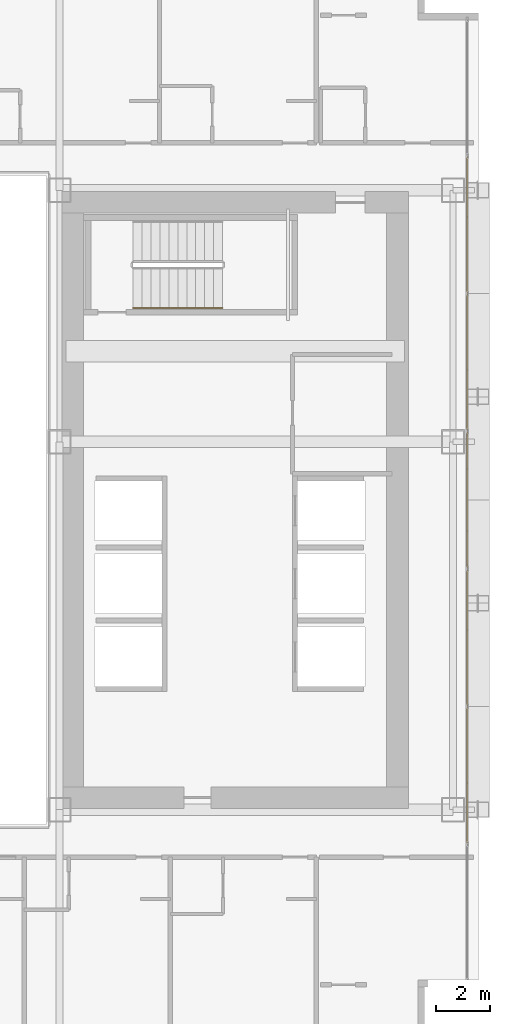
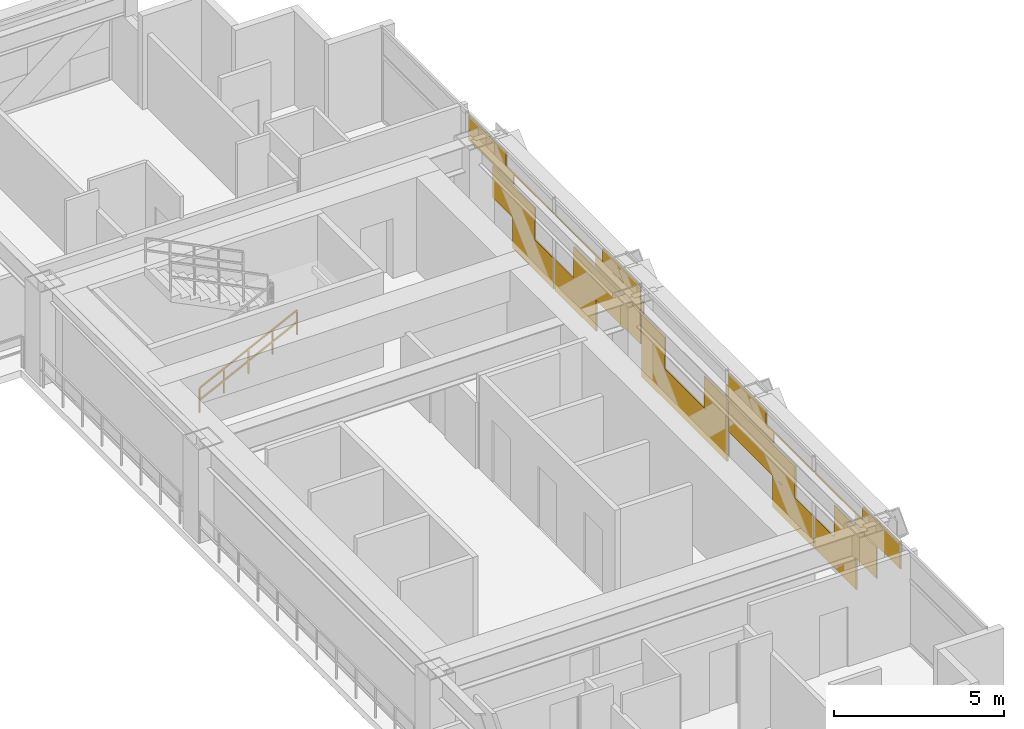
# One storey, part 37 of 38: 1 covering, 1 railing.
"""IFC4 building model written with IfcOpenShell, lengths in metres."""

import ifcopenshell
import ifcopenshell.guid

model = None  # the IFC model being written
_history = None  # IfcOwnerHistory: only IFC2X3 demands one
_inside = {}  # id of a spatial element -> (the spatial element, [elements in it])
_under = {}  # id of a project, library or spatial element -> (it, [spatial elements below it])
_declared = {}  # id of a project -> (the project, [libraries it declares])
_typed = {}  # id of a type object -> (the type object, [elements of that type])
_made_of = {}  # id of a material, layer set ... -> (it, [elements and type objects made of it])


def new_model(schema):
    """Start an empty IFC model of exactly this schema.

    Asked for "IFC4X3", IfcOpenShell would pick the latest addendum, in which some entities
    have other attributes; the version numbers below select the first issue.
    IFC2X3 requires an IfcOwnerHistory on every rooted entity: one is made here for all.
    """
    global model, _history
    if schema == "IFC4X3":
        model = ifcopenshell.file(schema_version=(4, 3, 0, 0))
    else:
        model = ifcopenshell.file(schema=schema)
    _inside.clear()
    _under.clear()
    _declared.clear()
    _typed.clear()
    _made_of.clear()
    _history = None
    if model.schema == "IFC2X3":
        org = make("IfcOrganization", Name="unknown")
        user = make(
            "IfcPersonAndOrganization",
            ThePerson=make("IfcPerson", FamilyName="unknown"),
            TheOrganization=org,
        )
        app = make(
            "IfcApplication",
            ApplicationDeveloper=org,
            Version="unknown",
            ApplicationFullName="unknown",
            ApplicationIdentifier="unknown",
        )
        _history = make(
            "IfcOwnerHistory",
            OwningUser=user,
            OwningApplication=app,
            ChangeAction="ADDED",
            CreationDate=0,
        )
    return model


def make(cls, **values):
    """One entity of the class cls with the attributes given. An attribute that is None is left unset."""
    return model.create_entity(
        cls, **{name: value for name, value in values.items() if value is not None}
    )


def rooted(cls, **values):
    """An entity with a GlobalId (a new one), such as an element, a storey or a relation."""
    return make(cls, GlobalId=ifcopenshell.guid.new(), OwnerHistory=_history, **values)


def si_unit(unit_type, name, prefix=None):
    """IfcSIUnit, for example si_unit("LENGTHUNIT", "METRE", prefix="MILLI")."""
    return make("IfcSIUnit", UnitType=unit_type, Prefix=prefix, Name=name)


def assignment(units):
    """IfcUnitAssignment: the units of a project."""
    return None if units is None else make("IfcUnitAssignment", Units=units)


def point(xyz):
    """IfcCartesianPoint."""
    return None if xyz is None else make("IfcCartesianPoint", Coordinates=xyz)


def direction(xyz):
    """IfcDirection."""
    return None if xyz is None else make("IfcDirection", DirectionRatios=xyz)


def frame(location, z_axis=None, x_axis=None):
    """IfcAxis2Placement3D, a coordinate frame: its origin and axes. An axis left out is left unset."""
    return make(
        "IfcAxis2Placement3D",
        Location=point(location),
        Axis=direction(z_axis),
        RefDirection=direction(x_axis),
    )


def frame_2d(location, x_axis=None):
    """IfcAxis2Placement2D, a coordinate frame in the plane: its origin and x axis."""
    return make(
        "IfcAxis2Placement2D", Location=point(location), RefDirection=direction(x_axis)
    )


def origin():
    """The frame at (0, 0, 0) with its axes left unset."""
    return frame((0.0, 0.0, 0.0))


def origin_2d():
    """The frame at (0, 0) in the plane with its x axis left unset."""
    return frame_2d((0.0, 0.0))


def place(relative_to, where):
    """IfcLocalPlacement: puts the frame where relative to a parent placement (None: the world)."""
    return make(
        "IfcLocalPlacement", PlacementRelTo=relative_to, RelativePlacement=where
    )


def context(
    kind, dimensions, precision=None, world=None, true_north=None, identifier=None
):
    """IfcGeometricRepresentationContext, for example the 3D "Model" context."""
    return make(
        "IfcGeometricRepresentationContext",
        ContextIdentifier=identifier,
        ContextType=kind,
        CoordinateSpaceDimension=dimensions,
        Precision=precision,
        WorldCoordinateSystem=world,
        TrueNorth=true_north,
    )


def subcontext(parent, identifier, kind, view, scale=None):
    """IfcGeometricRepresentationSubContext, for example "Body" below "Model"."""
    return make(
        "IfcGeometricRepresentationSubContext",
        ContextIdentifier=identifier,
        ContextType=kind,
        ParentContext=parent,
        TargetScale=scale,
        TargetView=view,
    )


def project(units=None, contexts=None):
    """IfcProject with its units and contexts."""
    return rooted(
        "IfcProject",
        Name="project",
        RepresentationContexts=contexts,
        UnitsInContext=assignment(units),
    )


def spatial(cls, under=None, at=None, **own):
    """A site, building, storey or space (cls), placed at a placement, below another one or the project."""
    s = rooted(cls, ObjectPlacement=at, **own)
    if under is not None:
        _under.setdefault(under.id(), (under, []))[1].append(s)
    return s


def profile(cls, at=None, kind="AREA", **sizes):
    """A parametric profile (cls). Its sizes go by their IFC names, for example OverallWidth=200.0."""
    return make(cls, ProfileType=kind, Position=at, **sizes)


def rectangle(**sizes):
    """IfcRectangleProfileDef."""
    return profile("IfcRectangleProfileDef", **sizes)


def extrude(swept, where, along, depth):
    """IfcExtrudedAreaSolid: the profile swept, set in the frame where, extruded along a direction by depth."""
    return make(
        "IfcExtrudedAreaSolid",
        SweptArea=swept,
        Position=where,
        ExtrudedDirection=direction(along),
        Depth=depth,
    )


def shape(context_of_items, identifier, shape_type, items):
    """IfcShapeRepresentation: the items that make up one representation, for example the "Body"."""
    return make(
        "IfcShapeRepresentation",
        ContextOfItems=context_of_items,
        RepresentationIdentifier=identifier,
        RepresentationType=shape_type,
        Items=items,
    )


def material(Name=None, Category=None):
    """IfcMaterial."""
    return make("IfcMaterial", Name=Name, Category=Category)


def layer(
    of_material, thickness, ventilated=None, Name=None, Category=None, Priority=None
):
    """IfcMaterialLayer: one layer of a wall or slab, of a material (None: an air gap)."""
    return make(
        "IfcMaterialLayer",
        Material=of_material,
        LayerThickness=thickness,
        IsVentilated=ventilated,
        Name=Name,
        Category=Category,
        Priority=Priority,
    )


def layer_set(layers, Name=None):
    """IfcMaterialLayerSet."""
    return make("IfcMaterialLayerSet", MaterialLayers=layers, LayerSetName=Name)


def made_of(thing, what):
    """Note that an element or type object is made of a material, layer set ...; save() writes the relation."""
    if what is not None:
        _made_of.setdefault(what.id(), (what, []))[1].append(thing)
    return thing


def type_object(cls, material=None, **own):
    """A type object (cls), such as IfcWallType, which elements share."""
    return made_of(rooted(cls, **own), material)


def element(
    cls,
    number,
    at=None,
    inside=None,
    cuts=None,
    type_object=None,
    material=None,
    context=None,
    identifier="Body",
    shape_type=None,
    held_by="IfcProductDefinitionShape",
    body=None,
    shapes=None,
    **own,
):
    """One element of the class cls, such as IfcWall. Its Tag is "e" and its number.

    at: its placement. inside: the storey or other place that contains it. cuts: it is an
    opening in that element (IfcRelVoidsElement). A single representation is given by context,
    identifier, shape_type and body (its items); several are given by shapes. held_by: the class
    of the entity that holds the representations. save() writes the other relations.
    """
    e = rooted(cls, Tag="e%d" % number, ObjectPlacement=at, **own)
    if body is not None:
        shapes = [shape(context, identifier, shape_type, body)]
    if shapes is not None:
        e.Representation = make(held_by, Representations=shapes)
    if inside is not None:
        _inside.setdefault(inside.id(), (inside, []))[1].append(e)
    if cuts is not None:
        rooted(
            "IfcRelVoidsElement", RelatingBuildingElement=cuts, RelatedOpeningElement=e
        )
    if type_object is not None:
        _typed.setdefault(type_object.id(), (type_object, []))[1].append(e)
    return made_of(e, material)


def aggregate(whole, parts):
    """IfcRelAggregates: a whole, such as a stair, and the parts it consists of."""
    return rooted("IfcRelAggregates", RelatingObject=whole, RelatedObjects=parts)


def save(model, path):
    """Write the relations noted so far, then the file.

    IfcRelAggregates (storeys below a building ...), IfcRelContainedInSpatialStructure (elements
    in a storey), IfcRelDefinesByType, IfcRelAssociatesMaterial and IfcRelDeclares: one each for
    every whole, place, type object, material and project.
    """
    for whole, parts in _under.values():
        aggregate(whole, parts)
    for where, things in _inside.values():
        rooted(
            "IfcRelContainedInSpatialStructure",
            RelatedElements=things,
            RelatingStructure=where,
        )
    for kind, things in _typed.values():
        rooted("IfcRelDefinesByType", RelatedObjects=things, RelatingType=kind)
    for what, things in _made_of.values():
        rooted("IfcRelAssociatesMaterial", RelatedObjects=things, RelatingMaterial=what)
    for by, libraries in _declared.values():
        rooted("IfcRelDeclares", RelatingContext=by, RelatedDefinitions=libraries)
    model.write(path)


model = new_model("IFC4")

# Units and contexts
model_context = context("Model", 3, precision=1e-05, world=origin(), true_north=direction((0.0, 1.0)))
body_context = subcontext(model_context, "Body", "Model", "MODEL_VIEW")
ifc_project = project(units=[si_unit("LENGTHUNIT", "METRE"), si_unit("AREAUNIT", "SQUARE_METRE"), si_unit("VOLUMEUNIT", "CUBIC_METRE"), si_unit("PLANEANGLEUNIT", "RADIAN"), si_unit("MASSUNIT", "GRAM", prefix="KILO")], contexts=[model_context])

# Site, building, storey
site_placement = place(None, origin())
site = spatial("IfcSite", under=ifc_project, at=site_placement, CompositionType="ELEMENT")
building_placement = place(site_placement, origin())
building = spatial("IfcBuilding", under=site, at=building_placement, Name="Ocotamira Hotel", CompositionType="ELEMENT")
storey_placement = place(building_placement, frame((0.0, 0.0, 60.0)))
storey = spatial("IfcBuildingStorey", under=building, at=storey_placement, Name="L14", CompositionType="ELEMENT", Elevation=60.0)

# Covering
ifc_material_1 = material(Name="Insulated pale-metal aluminium spandrel panel", Category="aluminium")
ifc_layer = layer(ifc_material_1, 0.044921875)
ifc_layer_set = layer_set([ifc_layer], Name="Insulated pale-metal aluminium spandrel panel")
covering_type = type_object("IfcCoveringType", Name="COV-INFILL-45", PredefinedType="CLADDING", material=ifc_layer_set)
covering_placement = place(storey_placement, origin())
element("IfcCovering", 1, at=covering_placement, inside=storey, type_object=covering_type, Name="L14 Curtain Wall Infill CW-2 CW-L14-E", PredefinedType="CLADDING", context=body_context, shape_type="SweptSolid", body=[
    extrude(rectangle(XDim=2.49658203125, YDim=0.044921875, at=origin_2d()), frame((55.580078125, 15.977783203125, 1.1943359375), z_axis=(0.0, 0.0, 1.0), x_axis=(0.0, 1.0, 0.0)), (0.0, 0.0, 1.0), 1.11767578125),
    extrude(rectangle(XDim=2.415283203125, YDim=0.044921875, at=origin_2d()), frame((55.580078125, 17.123291015625, 0.07568359375), z_axis=(0.0, 0.0, 1.0), x_axis=(0.0, 1.0, 0.0)), (0.0, 0.0, 1.0), 1.11767578125),
    extrude(rectangle(XDim=2.634521484375, YDim=0.044921875, at=origin_2d()), frame((55.580078125, 14.6435546875, 2.38818359375), z_axis=(0.0, 0.0, 1.0), x_axis=(0.0, 1.0, 0.0)), (0.0, 0.0, 1.0), 0.366943359375),
    extrude(rectangle(XDim=5.004638671875, YDim=0.044921875, at=origin_2d()), frame((55.580078125, 15.82861328125, 2.756103515625), z_axis=(0.0, 0.0, 1.0), x_axis=(0.0, 1.0, 0.0)), (0.0, 0.0, 1.0), 0.033203125),
    extrude(rectangle(XDim=2.2080078125, YDim=0.044921875, at=origin_2d()), frame((55.580078125, 14.43017578125, 2.79052734375), z_axis=(0.0, 0.0, 1.0), x_axis=(0.0, 1.0, 0.0)), (0.0, 0.0, 1.0), 0.484130859375),
    extrude(rectangle(XDim=2.40576171875, YDim=0.044921875, at=origin_2d()), frame((55.580078125, 19.61474609375, 0.07568359375), z_axis=(0.0, 0.0, 1.0), x_axis=(0.0, 1.0, 0.0)), (0.0, 0.0, 1.0), 1.11767578125),
    extrude(rectangle(XDim=3.90966796875, YDim=0.044921875, at=origin_2d()), frame((55.580078125, 21.4619140625, 1.1943359375), z_axis=(0.0, 0.0, 1.0), x_axis=(0.0, 1.0, 0.0)), (0.0, 0.0, 1.0), 1.11767578125),
    extrude(rectangle(XDim=5.004638671875, YDim=0.044921875, at=origin_2d()), frame((55.580078125, 20.914306640625, 2.756103515625), z_axis=(0.0, 0.0, 1.0), x_axis=(0.0, 1.0, 0.0)), (0.0, 0.0, 1.0), 0.033203125),
    extrude(rectangle(XDim=2.64404296875, YDim=0.044921875, at=origin_2d()), frame((55.580078125, 22.094482421875, 2.38818359375), z_axis=(0.0, 0.0, 1.0), x_axis=(0.0, 1.0, 0.0)), (0.0, 0.0, 1.0), 0.366943359375),
    extrude(rectangle(XDim=2.217529296875, YDim=0.044921875, at=origin_2d()), frame((55.580078125, 22.307861328125, 2.79052734375), z_axis=(0.0, 0.0, 1.0), x_axis=(0.0, 1.0, 0.0)), (0.0, 0.0, 1.0), 0.484130859375),
    extrude(rectangle(XDim=5.004638671875, YDim=0.044921875, at=origin_2d()), frame((55.580078125, 26.0, 0.07568359375), z_axis=(0.0, 0.0, 1.0), x_axis=(0.0, 1.0, 0.0)), (0.0, 0.0, 1.0), 1.11767578125),
    extrude(rectangle(XDim=1.362060546875, YDim=0.044921875, at=origin_2d()), frame((55.580078125, 24.1787109375, 1.1943359375), z_axis=(0.0, 0.0, 1.0), x_axis=(0.0, 1.0, 0.0)), (0.0, 0.0, 1.0), 1.11767578125),
    extrude(rectangle(XDim=1.362060546875, YDim=0.044921875, at=origin_2d()), frame((55.580078125, 27.8212890625, 1.1943359375), z_axis=(0.0, 0.0, 1.0), x_axis=(0.0, 1.0, 0.0)), (0.0, 0.0, 1.0), 1.11767578125),
    extrude(rectangle(XDim=0.096435546875, YDim=0.044921875, at=origin_2d()), frame((55.580078125, 23.5458984375, 2.387939453125), z_axis=(0.0, 0.0, 1.0), x_axis=(0.0, 1.0, 0.0)), (0.0, 0.0, 1.0), 0.4013671875),
    extrude(rectangle(XDim=0.096435546875, YDim=0.044921875, at=origin_2d()), frame((55.580078125, 28.4541015625, 2.387939453125), z_axis=(0.0, 0.0, 1.0), x_axis=(0.0, 1.0, 0.0)), (0.0, 0.0, 1.0), 0.4013671875),
    extrude(rectangle(XDim=3.90966796875, YDim=0.044921875, at=origin_2d()), frame((55.580078125, 30.5380859375, 1.1943359375), z_axis=(0.0, 0.0, 1.0), x_axis=(0.0, 1.0, 0.0)), (0.0, 0.0, 1.0), 1.11767578125),
    extrude(rectangle(XDim=2.40576171875, YDim=0.044921875, at=origin_2d()), frame((55.580078125, 32.38525390625, 0.07568359375), z_axis=(0.0, 0.0, 1.0), x_axis=(0.0, 1.0, 0.0)), (0.0, 0.0, 1.0), 1.11767578125),
    extrude(rectangle(XDim=2.64404296875, YDim=0.044921875, at=origin_2d()), frame((55.580078125, 29.905517578125, 2.38818359375), z_axis=(0.0, 0.0, 1.0), x_axis=(0.0, 1.0, 0.0)), (0.0, 0.0, 1.0), 0.366943359375),
    extrude(rectangle(XDim=5.004638671875, YDim=0.044921875, at=origin_2d()), frame((55.580078125, 31.085693359375, 2.756103515625), z_axis=(0.0, 0.0, 1.0), x_axis=(0.0, 1.0, 0.0)), (0.0, 0.0, 1.0), 0.033203125),
    extrude(rectangle(XDim=2.217529296875, YDim=0.044921875, at=origin_2d()), frame((55.580078125, 29.692138671875, 2.79052734375), z_axis=(0.0, 0.0, 1.0), x_axis=(0.0, 1.0, 0.0)), (0.0, 0.0, 1.0), 0.484130859375),
    extrude(rectangle(XDim=2.415283203125, YDim=0.044921875, at=origin_2d()), frame((55.580078125, 34.876708984375, 0.07568359375), z_axis=(0.0, 0.0, 1.0), x_axis=(0.0, 1.0, 0.0)), (0.0, 0.0, 1.0), 1.11767578125),
    extrude(rectangle(XDim=2.49658203125, YDim=0.044921875, at=origin_2d()), frame((55.580078125, 36.022216796875, 1.1943359375), z_axis=(0.0, 0.0, 1.0), x_axis=(0.0, 1.0, 0.0)), (0.0, 0.0, 1.0), 1.11767578125),
    extrude(rectangle(XDim=5.004638671875, YDim=0.044921875, at=origin_2d()), frame((55.580078125, 36.17138671875, 2.756103515625), z_axis=(0.0, 0.0, 1.0), x_axis=(0.0, 1.0, 0.0)), (0.0, 0.0, 1.0), 0.033203125),
    extrude(rectangle(XDim=2.634521484375, YDim=0.044921875, at=origin_2d()), frame((55.580078125, 37.3564453125, 2.38818359375), z_axis=(0.0, 0.0, 1.0), x_axis=(0.0, 1.0, 0.0)), (0.0, 0.0, 1.0), 0.366943359375),
    extrude(rectangle(XDim=2.2080078125, YDim=0.044921875, at=origin_2d()), frame((55.580078125, 37.56982421875, 2.79052734375), z_axis=(0.0, 0.0, 1.0), x_axis=(0.0, 1.0, 0.0)), (0.0, 0.0, 1.0), 0.484130859375),
])

# Railing
ifc_material_2 = material(Name="Brushed stainless steel handrail", Category="steel")
railing_type = type_object("IfcRailingType", Name="RL-HAND-900", PredefinedType="HANDRAIL", material=ifc_material_2)
railing_placement = place(storey_placement, frame((43.22998046875, 33.10009765625, 0.327392578125)))
element("IfcRailing", 2, at=railing_placement, inside=storey, type_object=railing_type, Name="L14 ST-4 stair handrail 1", PredefinedType="HANDRAIL", context=body_context, shape_type="SweptSolid", body=[
    extrude(rectangle(XDim=0.048095703125, YDim=0.048095703125, at=origin_2d()), frame((0.0, 0.0, 0.8759765625), z_axis=(0.895920123917, 0.0, 0.444215186098), x_axis=(0.0, 1.0, 0.0)), (0.0, 0.0, 1.0), 3.683349609375),
    extrude(rectangle(XDim=0.048095703125, YDim=0.048095703125, at=origin_2d()), frame((0.0, 0.0, 0.449951171875), z_axis=(0.895920123917, 0.0, 0.444215186098), x_axis=(0.0, 1.0, 0.0)), (0.0, 0.0, 1.0), 3.683349609375),
    extrude(rectangle(XDim=0.0419921875, YDim=0.0419921875, at=origin_2d()), origin(), (0.0, 0.0, 1.0), 0.851806640625),
    extrude(rectangle(XDim=0.0419921875, YDim=0.0419921875, at=origin_2d()), frame((0.824951171875, 0.0, 0.4091796875)), (0.0, 0.0, 1.0), 0.851806640625),
    extrude(rectangle(XDim=0.0419921875, YDim=0.0419921875, at=origin_2d()), frame((1.64990234375, 0.0, 0.818115234375)), (0.0, 0.0, 1.0), 0.851806640625),
    extrude(rectangle(XDim=0.0419921875, YDim=0.0419921875, at=origin_2d()), frame((2.47509765625, 0.0, 1.22705078125)), (0.0, 0.0, 1.0), 0.851806640625),
    extrude(rectangle(XDim=0.0419921875, YDim=0.0419921875, at=origin_2d()), frame((3.300048828125, 0.0, 1.63623046875)), (0.0, 0.0, 1.0), 0.851806640625),
])

save(model, "model.ifc")
